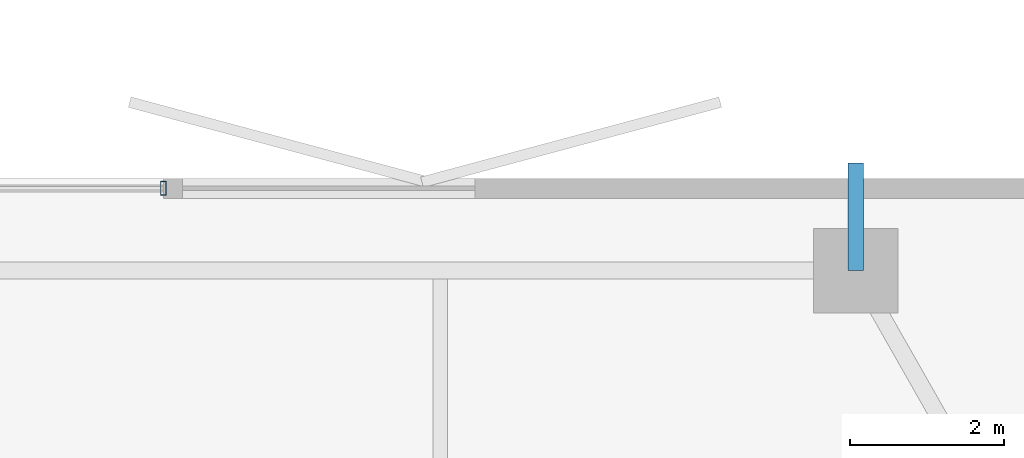
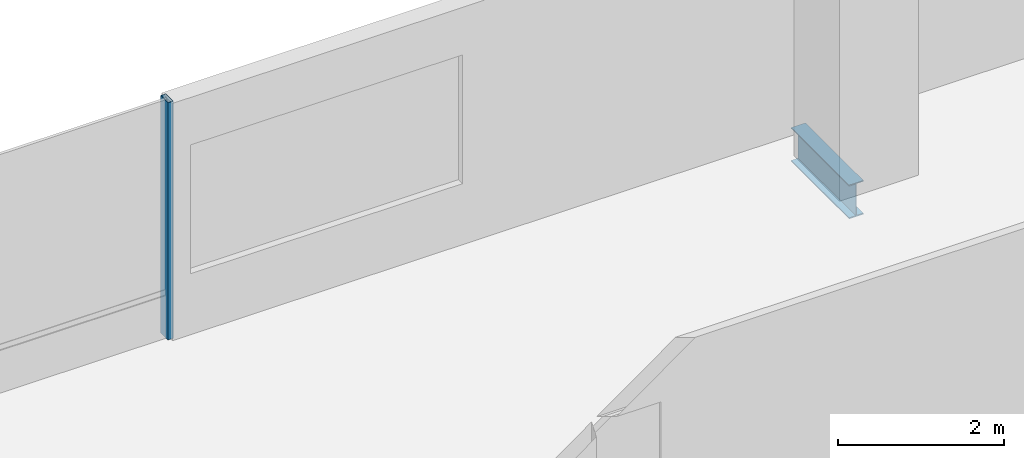
# One storey, part 15 of 24: 1 beam, 1 member, 1 element without a shape of its own.
"""IFC4 building model written with IfcOpenShell, lengths in metres."""

from ifc_helpers import new_model, si_unit, direction, frame, origin, origin_2d, place, context, subcontext, project, spatial, hollow_rectangle, i_section, extrude, material, layer, layer_set, material_profile, profile_set, type_object, element, aggregate, save


model = new_model("IFC4")

# Units and contexts
model_context = context("Model", 3, precision=1e-05, world=origin(), true_north=direction((0.0, 1.0)))
body_context = subcontext(model_context, "Body", "Model", "MODEL_VIEW")
ifc_project = project(units=[si_unit("LENGTHUNIT", "METRE"), si_unit("AREAUNIT", "SQUARE_METRE"), si_unit("VOLUMEUNIT", "CUBIC_METRE"), si_unit("PLANEANGLEUNIT", "RADIAN"), si_unit("MASSUNIT", "GRAM", prefix="KILO")], contexts=[model_context])

# Site, building, storey
site_placement = place(None, origin())
site = spatial("IfcSite", under=ifc_project, at=site_placement, CompositionType="ELEMENT")
building_placement = place(site_placement, origin())
building = spatial("IfcBuilding", under=site, at=building_placement, Name="Belovzor Exchange Tower", CompositionType="ELEMENT")
storey_placement = place(building_placement, frame((0.0, 0.0, 222.449951171875)))
storey = spatial("IfcBuildingStorey", under=building, at=storey_placement, Name="L55", CompositionType="ELEMENT", Elevation=222.449951171875)

# Beam
ifc_material_1 = material(Name="Steel S355", Category="steel")
ifc_material_profile_1 = material_profile(ifc_material_1, i_section(OverallWidth=0.199951171875, OverallDepth=0.5, WebThickness=0.01025390625, FlangeThickness=0.01611328125, at=origin_2d()))
ifc_profile_set_1 = profile_set([ifc_material_profile_1], Name="Steel S355")
beam_type = type_object("IfcBeamType", Name="Planted Balcony Cantilever Beam IPE 500", PredefinedType="BEAM", material=ifc_profile_set_1)
beam_placement = place(storey_placement, frame((42.60009765625, 54.60009765625, -0.5), z_axis=(0.0, 1.0, 0.0), x_axis=(-1.0, 0.0, 0.0)))
element("IfcBeam", 1, at=beam_placement, inside=storey, type_object=beam_type, Name="BC-500 Planted Balcony Cantilever Beam IPE 500", PredefinedType="BEAM", context=body_context, shape_type="SweptSolid", body=[
    extrude(i_section(OverallWidth=0.199951171875, OverallDepth=0.5, WebThickness=0.01025390625, FlangeThickness=0.01611328125, at=origin_2d()), origin(), (0.0, 0.0, 1.0), 1.39990234375),
])

# Curtain wall, member
ifc_material_2 = material(Name="Anodised Aluminium Framing", Category="aluminium")
ifc_layer = layer(ifc_material_2, 0.179931640625)
ifc_layer_set = layer_set([ifc_layer], Name="Anodised Aluminium Framing")
curtain_wall_type = type_object("IfcCurtainWallType", Name="Recessed Loggia Low-Iron Triple-Glazed Curtain Wall", PredefinedType="NOTDEFINED", material=ifc_layer_set)
curtain_wall_placement = place(storey_placement, origin())
curtain_wall = element("IfcCurtainWall", 2, at=curtain_wall_placement, inside=storey, type_object=curtain_wall_type, Name="CW3 Recessed Loggia Low-Iron Triple-Glazed Curtain Wall L55", PredefinedType="NOTDEFINED")
ifc_material_3 = material(Name="Steel S355", Category="steel")
ifc_material_profile_2 = material_profile(ifc_material_3, hollow_rectangle(XDim=0.074951171875, YDim=0.179931640625, WallThickness=0.0048828125, at=origin_2d()))
ifc_profile_set_2 = profile_set([ifc_material_profile_2], Name="Steel S355")
member_type = type_object("IfcMemberType", Name="Thermally Broken Curtain Wall Mullion 180x75", PredefinedType="MULLION", material=ifc_profile_set_2)
member_placement = place(storey_placement, frame((33.60009765625, 55.669921875, 0.0), z_axis=(0.0, 0.0, 1.0), x_axis=(1.0, 0.0, 0.0)))
member = element("IfcMember", 3, at=member_placement, type_object=member_type, Name="CW-M180 Curtain Wall Mullion 4", PredefinedType="MULLION", context=body_context, shape_type="SweptSolid", body=[
    extrude(hollow_rectangle(XDim=0.074951171875, YDim=0.179931640625, WallThickness=0.0048828125, at=origin_2d()), origin(), (0.0, 0.0, 1.0), 3.5),
])
aggregate(curtain_wall, [member])

save(model, "model.ifc")
